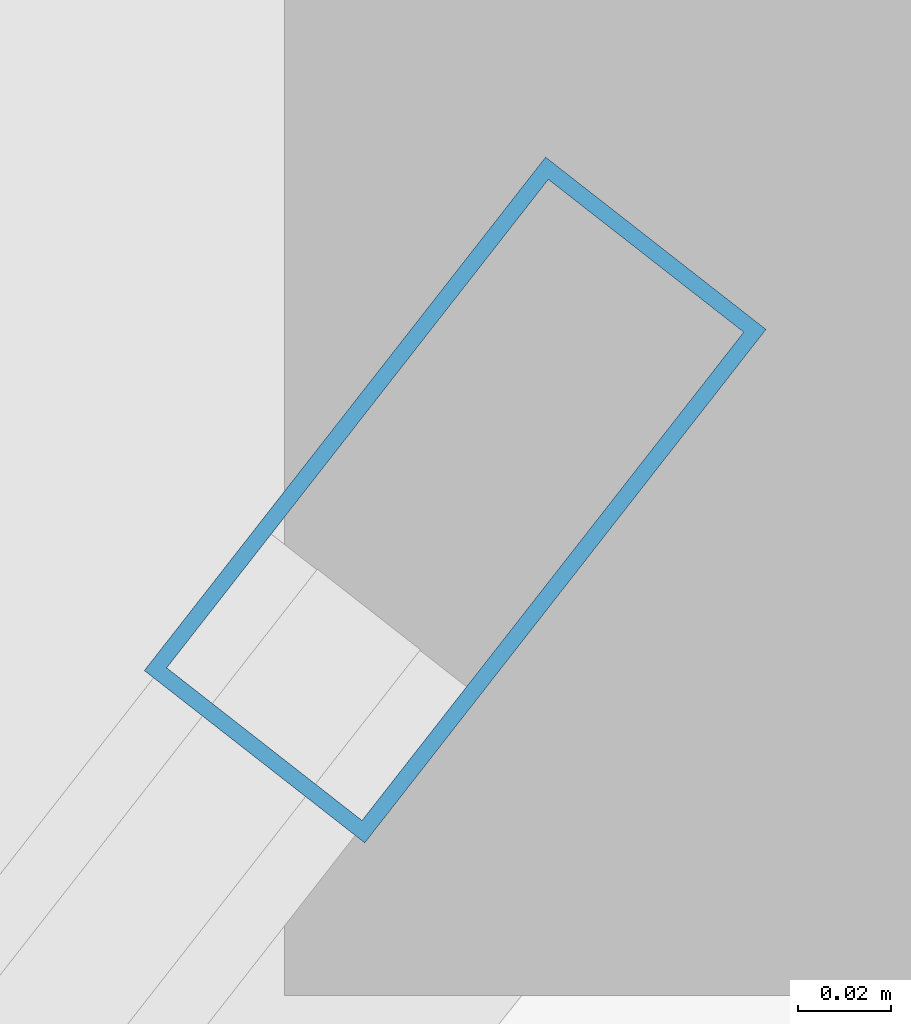
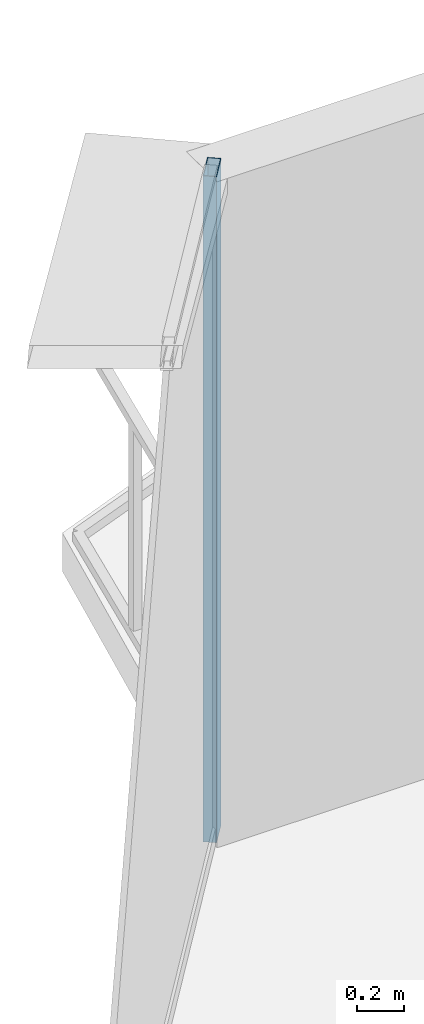
# One storey, part 19 of 36: 1 member, 1 element without a shape of its own.
"""IFC4 building model written with IfcOpenShell, lengths in metres."""

import ifcopenshell
import ifcopenshell.guid

model = None  # the IFC model being written
_history = None  # IfcOwnerHistory: only IFC2X3 demands one
_inside = {}  # id of a spatial element -> (the spatial element, [elements in it])
_under = {}  # id of a project, library or spatial element -> (it, [spatial elements below it])
_declared = {}  # id of a project -> (the project, [libraries it declares])
_typed = {}  # id of a type object -> (the type object, [elements of that type])
_made_of = {}  # id of a material, layer set ... -> (it, [elements and type objects made of it])


def new_model(schema):
    """Start an empty IFC model of exactly this schema.

    Asked for "IFC4X3", IfcOpenShell would pick the latest addendum, in which some entities
    have other attributes; the version numbers below select the first issue.
    IFC2X3 requires an IfcOwnerHistory on every rooted entity: one is made here for all.
    """
    global model, _history
    if schema == "IFC4X3":
        model = ifcopenshell.file(schema_version=(4, 3, 0, 0))
    else:
        model = ifcopenshell.file(schema=schema)
    _inside.clear()
    _under.clear()
    _declared.clear()
    _typed.clear()
    _made_of.clear()
    _history = None
    if model.schema == "IFC2X3":
        org = make("IfcOrganization", Name="unknown")
        user = make(
            "IfcPersonAndOrganization",
            ThePerson=make("IfcPerson", FamilyName="unknown"),
            TheOrganization=org,
        )
        app = make(
            "IfcApplication",
            ApplicationDeveloper=org,
            Version="unknown",
            ApplicationFullName="unknown",
            ApplicationIdentifier="unknown",
        )
        _history = make(
            "IfcOwnerHistory",
            OwningUser=user,
            OwningApplication=app,
            ChangeAction="ADDED",
            CreationDate=0,
        )
    return model


def make(cls, **values):
    """One entity of the class cls with the attributes given. An attribute that is None is left unset."""
    return model.create_entity(
        cls, **{name: value for name, value in values.items() if value is not None}
    )


def rooted(cls, **values):
    """An entity with a GlobalId (a new one), such as an element, a storey or a relation."""
    return make(cls, GlobalId=ifcopenshell.guid.new(), OwnerHistory=_history, **values)


def si_unit(unit_type, name, prefix=None):
    """IfcSIUnit, for example si_unit("LENGTHUNIT", "METRE", prefix="MILLI")."""
    return make("IfcSIUnit", UnitType=unit_type, Prefix=prefix, Name=name)


def assignment(units):
    """IfcUnitAssignment: the units of a project."""
    return None if units is None else make("IfcUnitAssignment", Units=units)


def point(xyz):
    """IfcCartesianPoint."""
    return None if xyz is None else make("IfcCartesianPoint", Coordinates=xyz)


def direction(xyz):
    """IfcDirection."""
    return None if xyz is None else make("IfcDirection", DirectionRatios=xyz)


def frame(location, z_axis=None, x_axis=None):
    """IfcAxis2Placement3D, a coordinate frame: its origin and axes. An axis left out is left unset."""
    return make(
        "IfcAxis2Placement3D",
        Location=point(location),
        Axis=direction(z_axis),
        RefDirection=direction(x_axis),
    )


def frame_2d(location, x_axis=None):
    """IfcAxis2Placement2D, a coordinate frame in the plane: its origin and x axis."""
    return make(
        "IfcAxis2Placement2D", Location=point(location), RefDirection=direction(x_axis)
    )


def origin():
    """The frame at (0, 0, 0) with its axes left unset."""
    return frame((0.0, 0.0, 0.0))


def origin_2d():
    """The frame at (0, 0) in the plane with its x axis left unset."""
    return frame_2d((0.0, 0.0))


def place(relative_to, where):
    """IfcLocalPlacement: puts the frame where relative to a parent placement (None: the world)."""
    return make(
        "IfcLocalPlacement", PlacementRelTo=relative_to, RelativePlacement=where
    )


def context(
    kind, dimensions, precision=None, world=None, true_north=None, identifier=None
):
    """IfcGeometricRepresentationContext, for example the 3D "Model" context."""
    return make(
        "IfcGeometricRepresentationContext",
        ContextIdentifier=identifier,
        ContextType=kind,
        CoordinateSpaceDimension=dimensions,
        Precision=precision,
        WorldCoordinateSystem=world,
        TrueNorth=true_north,
    )


def subcontext(parent, identifier, kind, view, scale=None):
    """IfcGeometricRepresentationSubContext, for example "Body" below "Model"."""
    return make(
        "IfcGeometricRepresentationSubContext",
        ContextIdentifier=identifier,
        ContextType=kind,
        ParentContext=parent,
        TargetScale=scale,
        TargetView=view,
    )


def project(units=None, contexts=None):
    """IfcProject with its units and contexts."""
    return rooted(
        "IfcProject",
        Name="project",
        RepresentationContexts=contexts,
        UnitsInContext=assignment(units),
    )


def spatial(cls, under=None, at=None, **own):
    """A site, building, storey or space (cls), placed at a placement, below another one or the project."""
    s = rooted(cls, ObjectPlacement=at, **own)
    if under is not None:
        _under.setdefault(under.id(), (under, []))[1].append(s)
    return s


def profile(cls, at=None, kind="AREA", **sizes):
    """A parametric profile (cls). Its sizes go by their IFC names, for example OverallWidth=200.0."""
    return make(cls, ProfileType=kind, Position=at, **sizes)


def hollow_rectangle(**sizes):
    """IfcRectangleHollowProfileDef."""
    return profile("IfcRectangleHollowProfileDef", **sizes)


def extrude(swept, where, along, depth):
    """IfcExtrudedAreaSolid: the profile swept, set in the frame where, extruded along a direction by depth."""
    return make(
        "IfcExtrudedAreaSolid",
        SweptArea=swept,
        Position=where,
        ExtrudedDirection=direction(along),
        Depth=depth,
    )


def shape(context_of_items, identifier, shape_type, items):
    """IfcShapeRepresentation: the items that make up one representation, for example the "Body"."""
    return make(
        "IfcShapeRepresentation",
        ContextOfItems=context_of_items,
        RepresentationIdentifier=identifier,
        RepresentationType=shape_type,
        Items=items,
    )


def source(mapping_origin, context_of_items, identifier, shape_type, items):
    """IfcRepresentationMap: a shape defined once, which mapped items show again and again."""
    return make(
        "IfcRepresentationMap",
        MappingOrigin=mapping_origin,
        MappedRepresentation=shape(context_of_items, identifier, shape_type, items),
    )


def transform(
    local_origin,
    x_axis=None,
    y_axis=None,
    z_axis=None,
    scale=None,
    scale2=None,
    scale3=None,
    uniform=True,
):
    """IfcCartesianTransformationOperator3D, or its non-uniform kind. x_axis, y_axis, z_axis: its Axis1, 2, 3."""
    if uniform:
        return make(
            "IfcCartesianTransformationOperator3D",
            Axis1=direction(x_axis),
            Axis2=direction(y_axis),
            LocalOrigin=point(local_origin),
            Scale=scale,
            Axis3=direction(z_axis),
        )
    return make(
        "IfcCartesianTransformationOperator3DnonUniform",
        Axis1=direction(x_axis),
        Axis2=direction(y_axis),
        LocalOrigin=point(local_origin),
        Scale=scale,
        Axis3=direction(z_axis),
        Scale2=scale2,
        Scale3=scale3,
    )


def mapped(mapping_source, mapping_target):
    """IfcMappedItem: shows the shape of a source again, moved by a transform."""
    return make(
        "IfcMappedItem", MappingSource=mapping_source, MappingTarget=mapping_target
    )


def material(Name=None, Category=None):
    """IfcMaterial."""
    return make("IfcMaterial", Name=Name, Category=Category)


def layer(
    of_material, thickness, ventilated=None, Name=None, Category=None, Priority=None
):
    """IfcMaterialLayer: one layer of a wall or slab, of a material (None: an air gap)."""
    return make(
        "IfcMaterialLayer",
        Material=of_material,
        LayerThickness=thickness,
        IsVentilated=ventilated,
        Name=Name,
        Category=Category,
        Priority=Priority,
    )


def layer_set(layers, Name=None):
    """IfcMaterialLayerSet."""
    return make("IfcMaterialLayerSet", MaterialLayers=layers, LayerSetName=Name)


def material_profile(
    of_material, cross_section, Name=None, Category=None, Priority=None
):
    """IfcMaterialProfile: a cross section and its material."""
    return make(
        "IfcMaterialProfile",
        Name=Name,
        Material=of_material,
        Profile=cross_section,
        Priority=Priority,
        Category=Category,
    )


def profile_set(profiles, Name=None, composite=None):
    """IfcMaterialProfileSet."""
    return make(
        "IfcMaterialProfileSet",
        Name=Name,
        MaterialProfiles=profiles,
        CompositeProfile=composite,
    )


def made_of(thing, what):
    """Note that an element or type object is made of a material, layer set ...; save() writes the relation."""
    if what is not None:
        _made_of.setdefault(what.id(), (what, []))[1].append(thing)
    return thing


def type_object(cls, material=None, **own):
    """A type object (cls), such as IfcWallType, which elements share."""
    return made_of(rooted(cls, **own), material)


def element(
    cls,
    number,
    at=None,
    inside=None,
    cuts=None,
    type_object=None,
    material=None,
    context=None,
    identifier="Body",
    shape_type=None,
    held_by="IfcProductDefinitionShape",
    body=None,
    shapes=None,
    **own,
):
    """One element of the class cls, such as IfcWall. Its Tag is "e" and its number.

    at: its placement. inside: the storey or other place that contains it. cuts: it is an
    opening in that element (IfcRelVoidsElement). A single representation is given by context,
    identifier, shape_type and body (its items); several are given by shapes. held_by: the class
    of the entity that holds the representations. save() writes the other relations.
    """
    e = rooted(cls, Tag="e%d" % number, ObjectPlacement=at, **own)
    if body is not None:
        shapes = [shape(context, identifier, shape_type, body)]
    if shapes is not None:
        e.Representation = make(held_by, Representations=shapes)
    if inside is not None:
        _inside.setdefault(inside.id(), (inside, []))[1].append(e)
    if cuts is not None:
        rooted(
            "IfcRelVoidsElement", RelatingBuildingElement=cuts, RelatedOpeningElement=e
        )
    if type_object is not None:
        _typed.setdefault(type_object.id(), (type_object, []))[1].append(e)
    return made_of(e, material)


def aggregate(whole, parts):
    """IfcRelAggregates: a whole, such as a stair, and the parts it consists of."""
    return rooted("IfcRelAggregates", RelatingObject=whole, RelatedObjects=parts)


def save(model, path):
    """Write the relations noted so far, then the file.

    IfcRelAggregates (storeys below a building ...), IfcRelContainedInSpatialStructure (elements
    in a storey), IfcRelDefinesByType, IfcRelAssociatesMaterial and IfcRelDeclares: one each for
    every whole, place, type object, material and project.
    """
    for whole, parts in _under.values():
        aggregate(whole, parts)
    for where, things in _inside.values():
        rooted(
            "IfcRelContainedInSpatialStructure",
            RelatedElements=things,
            RelatingStructure=where,
        )
    for kind, things in _typed.values():
        rooted("IfcRelDefinesByType", RelatedObjects=things, RelatingType=kind)
    for what, things in _made_of.values():
        rooted("IfcRelAssociatesMaterial", RelatedObjects=things, RelatingMaterial=what)
    for by, libraries in _declared.values():
        rooted("IfcRelDeclares", RelatingContext=by, RelatedDefinitions=libraries)
    model.write(path)


model = new_model("IFC4")

# Units and contexts
model_context = context("Model", 3, precision=1e-05, world=origin(), true_north=direction((0.0, 1.0)))
body_context = subcontext(model_context, "Body", "Model", "MODEL_VIEW")
ifc_project = project(units=[si_unit("LENGTHUNIT", "METRE"), si_unit("AREAUNIT", "SQUARE_METRE"), si_unit("VOLUMEUNIT", "CUBIC_METRE"), si_unit("PLANEANGLEUNIT", "RADIAN"), si_unit("MASSUNIT", "GRAM", prefix="KILO"), si_unit("THERMODYNAMICTEMPERATUREUNIT", "KELVIN"), si_unit("POWERUNIT", "WATT")], contexts=[model_context])

# Site, building, storey
site_placement = place(None, origin())
site = spatial("IfcSite", under=ifc_project, at=site_placement, CompositionType="ELEMENT")
building_placement = place(site_placement, origin())
building = spatial("IfcBuilding", under=site, at=building_placement, Name="Yunzhuo Pagoda Commons", CompositionType="ELEMENT")
storey_placement = place(building_placement, frame((0.0, 0.0, 248.260009765625)))
storey = spatial("IfcBuildingStorey", under=building, at=storey_placement, Name="L62", CompositionType="ELEMENT", Elevation=248.260009765625)

# Curtain wall, member
ifc_material = material(Name="Anodized aluminium 6063-T6", Category="aluminium")
ifc_layer = layer(ifc_material, 0.139892578125)
ifc_layer_set = layer_set([ifc_layer], Name="Anodized aluminium 6063-T6")
curtain_wall_type = type_object("IfcCurtainWallType", Name="CW-HI High-Zone Ribbon Curtain Wall", PredefinedType="NOTDEFINED", material=ifc_layer_set)
curtain_wall_placement = place(storey_placement, origin())
curtain_wall = element("IfcCurtainWall", 1, at=curtain_wall_placement, inside=storey, type_object=curtain_wall_type, Name="L62 curtain wall CW-L62-F3B1", PredefinedType="NOTDEFINED")
ifc_material_profile = material_profile(ifc_material, hollow_rectangle(XDim=0.06005859375, YDim=0.139892578125, WallThickness=0.00341796875, at=origin_2d()), Name="Anodized aluminium 6063-T6")
ifc_profile_set = profile_set([ifc_material_profile], Name="Anodized aluminium 6063-T6")
member_type = type_object("IfcMemberType", Name="CW-HI-M Mullion RHS 140x60x3.5", PredefinedType="MULLION", material=ifc_profile_set)
shared_shape = source(origin(), body_context, "Body", "SweptSolid", [
    extrude(hollow_rectangle(XDim=0.06005859375, YDim=0.139892578125, WallThickness=0.00341796875, at=origin_2d()), origin(), (0.0, 0.0, 1.0), 3.47021484375),
])
member_placement = place(storey_placement, frame((44.113037109375, 79.776123046875, 0.0), z_axis=(0.0, 0.0, 1.0), x_axis=(0.787911077131, -0.615789034114, 0.0)))
member = element("IfcMember", 2, at=member_placement, type_object=member_type, Name="CW mullion 1", PredefinedType="MULLION", context=body_context, shape_type="MappedRepresentation", body=[
    mapped(shared_shape, transform((0.0, 0.0, 0.0), scale=1.0)),
])
aggregate(curtain_wall, [member])

save(model, "model.ifc")
